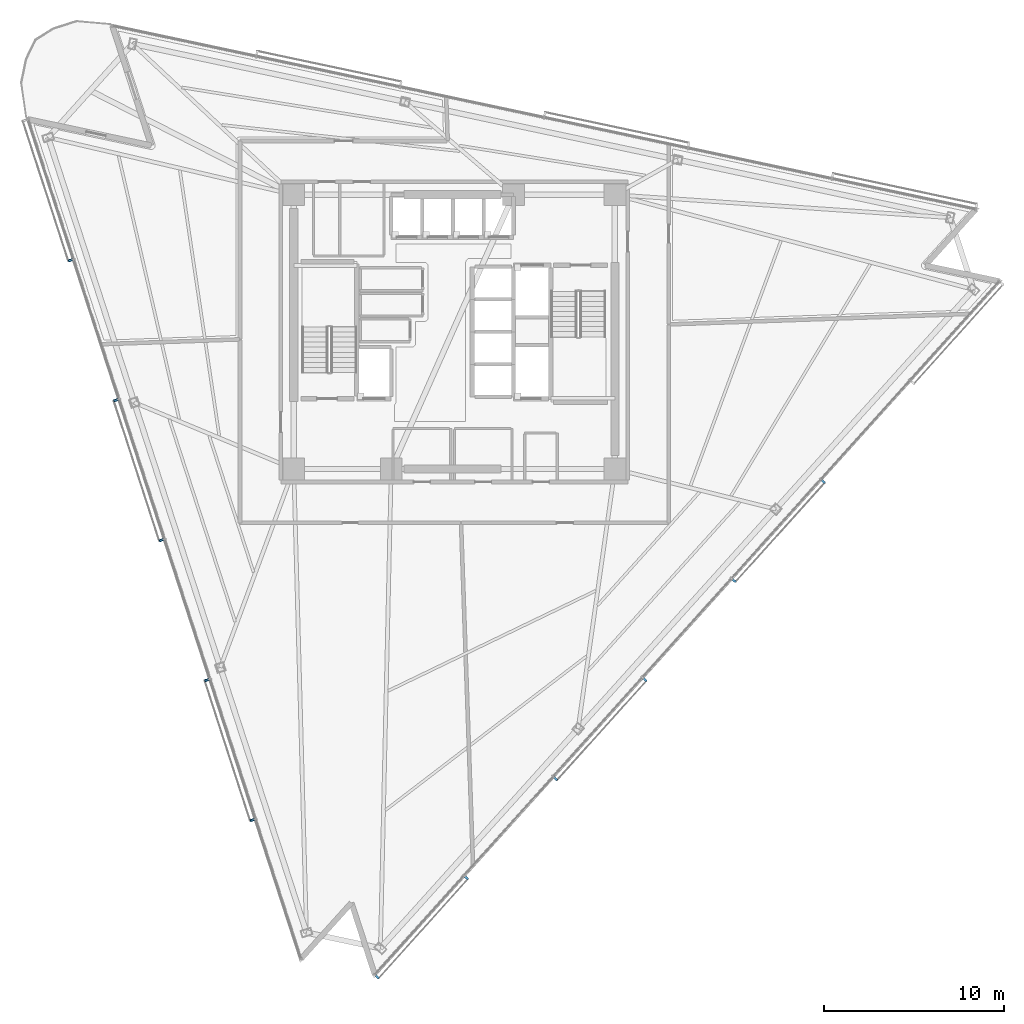
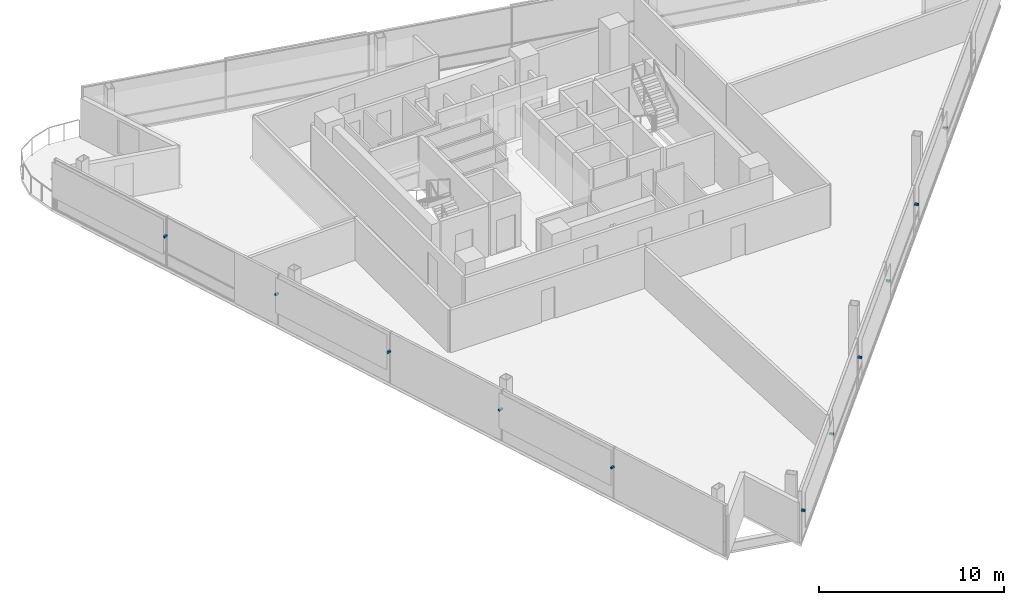
# One storey, part 13 of 17: 11 discrete accessories.
"""IFC4 building model written with IfcOpenShell, lengths in metres."""

from ifc_helpers import new_model, si_unit, direction, frame, origin, origin_2d, place, context, subcontext, project, spatial, rectangle, extrude, material, type_object, element, save


model = new_model("IFC4")

# Units and contexts
model_context = context("Model", 3, precision=1e-05, world=origin(), true_north=direction((0.0, 1.0)))
body_context = subcontext(model_context, "Body", "Model", "MODEL_VIEW")
ifc_project = project(units=[si_unit("LENGTHUNIT", "METRE"), si_unit("AREAUNIT", "SQUARE_METRE"), si_unit("VOLUMEUNIT", "CUBIC_METRE"), si_unit("PLANEANGLEUNIT", "RADIAN"), si_unit("MASSUNIT", "GRAM", prefix="KILO")], contexts=[model_context])

# Site, building, storey
site_placement = place(None, origin())
site = spatial("IfcSite", under=ifc_project, at=site_placement, CompositionType="ELEMENT")
building_placement = place(site_placement, origin())
building = spatial("IfcBuilding", under=site, at=building_placement, Name="Tharavind Bronze Gate", CompositionType="ELEMENT")
storey_placement = place(building_placement, frame((0.0, 0.0, 218.449951171875)))
storey = spatial("IfcBuildingStorey", under=building, at=storey_placement, Name="L56", CompositionType="ELEMENT", Elevation=218.449951171875)

# Discrete accessories
ifc_material = material(Name="Stainless Steel 316", Category="steel")
discrete_accessory_type = type_object("IfcDiscreteAccessoryType", Name="SOLAR SCREEN STANDOFF BRACKET", PredefinedType="BRACKET", material=ifc_material)
for number, where, z_axis, x_axis, name in (
    (1, (-21.281005859375, 3.96826171875, 2.070068359375), (0.0, 0.0, 1.0), (0.309016994375, -0.951056516295, 0.0), "CW-L56-S1 solar screen bracket 1.2"),
    (2, (-18.760986328125, -3.7880859375, 2.070068359375), (0.0, 0.0, 1.0), (0.309016994375, -0.951056516295, 0.0), "CW-L56-S1 solar screen bracket 3.1"),
    (3, (-16.240478515625, -11.544677734375, 2.070068359375), (0.0, 0.0, 1.0), (0.309016994375, -0.951056516295, 0.0), "CW-L56-S1 solar screen bracket 3.2"),
    (4, (-13.720458984375, -19.30126953125, 2.070068359375), (0.0, 0.0, 1.0), (0.309016994375, -0.951056516295, 0.0), "CW-L56-S1 solar screen bracket 5.1"),
    (5, (-11.2001953125, -27.057861328125, 2.070068359375), (0.0, 0.0, 1.0), (0.309016994375, -0.951056516295, 0.0), "CW-L56-S1 solar screen bracket 5.2"),
    (6, (-4.2783203125, -35.75, 2.070068359375), (0.0, 0.0, 1.0), (0.669130606359, 0.743144825477, 0.0), "CW-L56-S2 solar screen bracket 1.1"),
    (7, (0.666015625, -30.258544921875, 2.070068359375), (0.0, 0.0, 1.0), (0.669130606359, 0.743144825477, 0.0), "CW-L56-S2 solar screen bracket 1.2"),
    (8, (5.610595703125, -24.76708984375, 2.070068359375), (0.0, 0.0, 1.0), (0.669130606359, 0.743144825477, 0.0), "CW-L56-S2 solar screen bracket 3.1"),
    (9, (10.55517578125, -19.275634765625, 2.070068359375), (0.0, 0.0, 1.0), (0.669130606359, 0.743144825477, 0.0), "CW-L56-S2 solar screen bracket 3.2"),
    (10, (15.49951171875, -13.7841796875, 2.070068359375), (0.0, 0.0, 1.0), (0.669130606359, 0.743144825477, 0.0), "CW-L56-S2 solar screen bracket 5.1"),
    (11, (20.444091796875, -8.292724609375, 2.070068359375), (0.0, 0.0, 1.0), (0.669130606359, 0.743144825477, 0.0), "CW-L56-S2 solar screen bracket 5.2"),
):
    element("IfcDiscreteAccessory", number, at=place(storey_placement, frame(where, z_axis=z_axis, x_axis=x_axis)), inside=storey, type_object=discrete_accessory_type, Name=name, PredefinedType="BRACKET", context=body_context, shape_type="SweptSolid", body=[
        extrude(rectangle(XDim=0.1201171875, YDim=0.239990234375, at=origin_2d()), origin(), (0.0, 0.0, 1.0), 0.1201171875),
    ])

save(model, "model.ifc")
